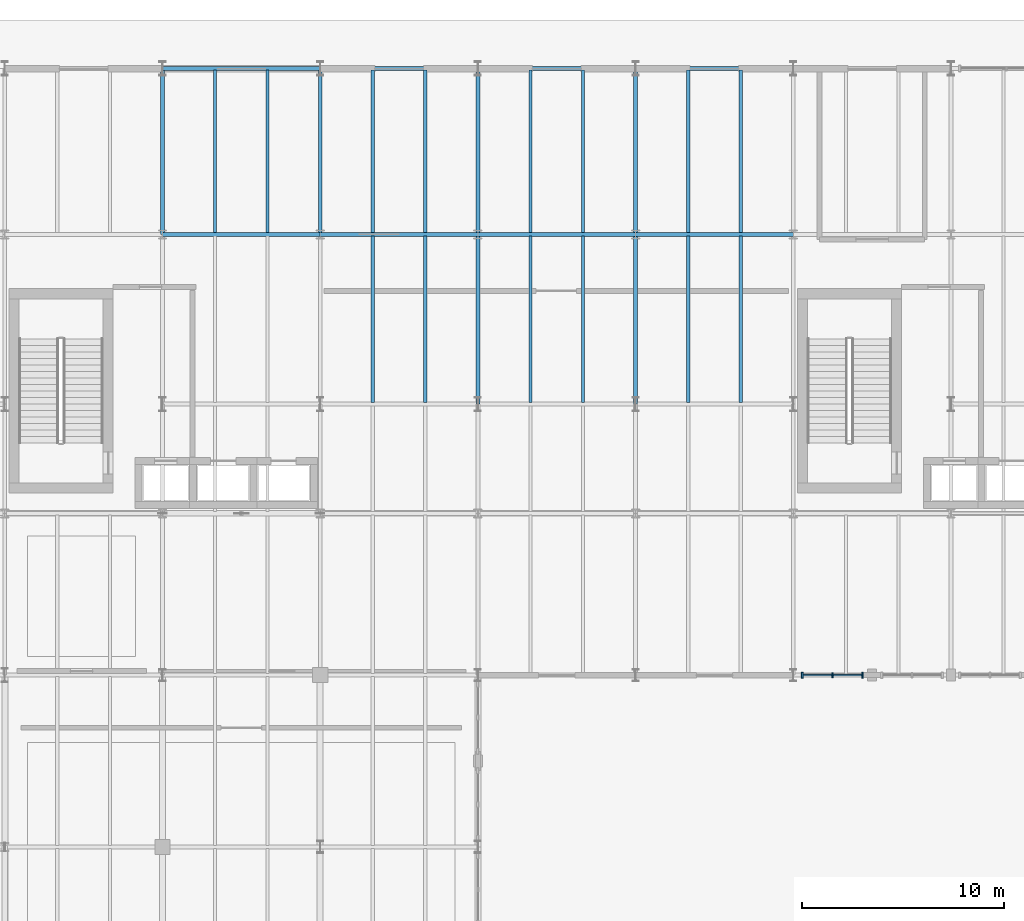
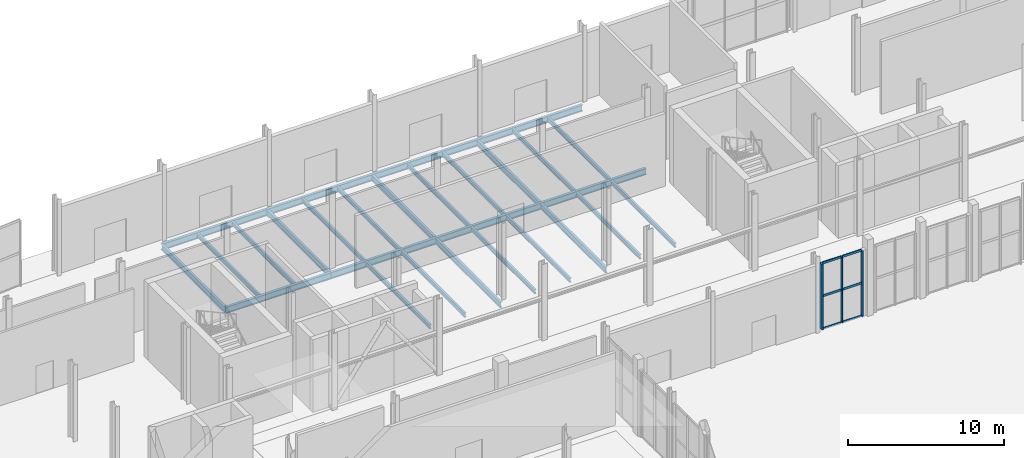
# One storey, part 35 of 84: 28 beams, 9 members, 1 element without a shape of its own.
"""IFC4 building model written with IfcOpenShell, lengths in metres."""

import ifcopenshell
import ifcopenshell.guid

model = None  # the IFC model being written
_history = None  # IfcOwnerHistory: only IFC2X3 demands one
_inside = {}  # id of a spatial element -> (the spatial element, [elements in it])
_under = {}  # id of a project, library or spatial element -> (it, [spatial elements below it])
_declared = {}  # id of a project -> (the project, [libraries it declares])
_typed = {}  # id of a type object -> (the type object, [elements of that type])
_made_of = {}  # id of a material, layer set ... -> (it, [elements and type objects made of it])


def new_model(schema):
    """Start an empty IFC model of exactly this schema.

    Asked for "IFC4X3", IfcOpenShell would pick the latest addendum, in which some entities
    have other attributes; the version numbers below select the first issue.
    IFC2X3 requires an IfcOwnerHistory on every rooted entity: one is made here for all.
    """
    global model, _history
    if schema == "IFC4X3":
        model = ifcopenshell.file(schema_version=(4, 3, 0, 0))
    else:
        model = ifcopenshell.file(schema=schema)
    _inside.clear()
    _under.clear()
    _declared.clear()
    _typed.clear()
    _made_of.clear()
    _history = None
    if model.schema == "IFC2X3":
        org = make("IfcOrganization", Name="unknown")
        user = make(
            "IfcPersonAndOrganization",
            ThePerson=make("IfcPerson", FamilyName="unknown"),
            TheOrganization=org,
        )
        app = make(
            "IfcApplication",
            ApplicationDeveloper=org,
            Version="unknown",
            ApplicationFullName="unknown",
            ApplicationIdentifier="unknown",
        )
        _history = make(
            "IfcOwnerHistory",
            OwningUser=user,
            OwningApplication=app,
            ChangeAction="ADDED",
            CreationDate=0,
        )
    return model


def make(cls, **values):
    """One entity of the class cls with the attributes given. An attribute that is None is left unset."""
    return model.create_entity(
        cls, **{name: value for name, value in values.items() if value is not None}
    )


def rooted(cls, **values):
    """An entity with a GlobalId (a new one), such as an element, a storey or a relation."""
    return make(cls, GlobalId=ifcopenshell.guid.new(), OwnerHistory=_history, **values)


def si_unit(unit_type, name, prefix=None):
    """IfcSIUnit, for example si_unit("LENGTHUNIT", "METRE", prefix="MILLI")."""
    return make("IfcSIUnit", UnitType=unit_type, Prefix=prefix, Name=name)


def assignment(units):
    """IfcUnitAssignment: the units of a project."""
    return None if units is None else make("IfcUnitAssignment", Units=units)


def point(xyz):
    """IfcCartesianPoint."""
    return None if xyz is None else make("IfcCartesianPoint", Coordinates=xyz)


def direction(xyz):
    """IfcDirection."""
    return None if xyz is None else make("IfcDirection", DirectionRatios=xyz)


def frame(location, z_axis=None, x_axis=None):
    """IfcAxis2Placement3D, a coordinate frame: its origin and axes. An axis left out is left unset."""
    return make(
        "IfcAxis2Placement3D",
        Location=point(location),
        Axis=direction(z_axis),
        RefDirection=direction(x_axis),
    )


def frame_2d(location, x_axis=None):
    """IfcAxis2Placement2D, a coordinate frame in the plane: its origin and x axis."""
    return make(
        "IfcAxis2Placement2D", Location=point(location), RefDirection=direction(x_axis)
    )


def origin():
    """The frame at (0, 0, 0) with its axes left unset."""
    return frame((0.0, 0.0, 0.0))


def origin_2d():
    """The frame at (0, 0) in the plane with its x axis left unset."""
    return frame_2d((0.0, 0.0))


def place(relative_to, where):
    """IfcLocalPlacement: puts the frame where relative to a parent placement (None: the world)."""
    return make(
        "IfcLocalPlacement", PlacementRelTo=relative_to, RelativePlacement=where
    )


def context(
    kind, dimensions, precision=None, world=None, true_north=None, identifier=None
):
    """IfcGeometricRepresentationContext, for example the 3D "Model" context."""
    return make(
        "IfcGeometricRepresentationContext",
        ContextIdentifier=identifier,
        ContextType=kind,
        CoordinateSpaceDimension=dimensions,
        Precision=precision,
        WorldCoordinateSystem=world,
        TrueNorth=true_north,
    )


def subcontext(parent, identifier, kind, view, scale=None):
    """IfcGeometricRepresentationSubContext, for example "Body" below "Model"."""
    return make(
        "IfcGeometricRepresentationSubContext",
        ContextIdentifier=identifier,
        ContextType=kind,
        ParentContext=parent,
        TargetScale=scale,
        TargetView=view,
    )


def project(units=None, contexts=None):
    """IfcProject with its units and contexts."""
    return rooted(
        "IfcProject",
        Name="project",
        RepresentationContexts=contexts,
        UnitsInContext=assignment(units),
    )


def spatial(cls, under=None, at=None, **own):
    """A site, building, storey or space (cls), placed at a placement, below another one or the project."""
    s = rooted(cls, ObjectPlacement=at, **own)
    if under is not None:
        _under.setdefault(under.id(), (under, []))[1].append(s)
    return s


def profile(cls, at=None, kind="AREA", **sizes):
    """A parametric profile (cls). Its sizes go by their IFC names, for example OverallWidth=200.0."""
    return make(cls, ProfileType=kind, Position=at, **sizes)


def rectangle(**sizes):
    """IfcRectangleProfileDef."""
    return profile("IfcRectangleProfileDef", **sizes)


def i_section(**sizes):
    """IfcIShapeProfileDef."""
    return profile("IfcIShapeProfileDef", **sizes)


def extrude(swept, where, along, depth):
    """IfcExtrudedAreaSolid: the profile swept, set in the frame where, extruded along a direction by depth."""
    return make(
        "IfcExtrudedAreaSolid",
        SweptArea=swept,
        Position=where,
        ExtrudedDirection=direction(along),
        Depth=depth,
    )


def shape(context_of_items, identifier, shape_type, items):
    """IfcShapeRepresentation: the items that make up one representation, for example the "Body"."""
    return make(
        "IfcShapeRepresentation",
        ContextOfItems=context_of_items,
        RepresentationIdentifier=identifier,
        RepresentationType=shape_type,
        Items=items,
    )


def material(Name=None, Category=None):
    """IfcMaterial."""
    return make("IfcMaterial", Name=Name, Category=Category)


def layer(
    of_material, thickness, ventilated=None, Name=None, Category=None, Priority=None
):
    """IfcMaterialLayer: one layer of a wall or slab, of a material (None: an air gap)."""
    return make(
        "IfcMaterialLayer",
        Material=of_material,
        LayerThickness=thickness,
        IsVentilated=ventilated,
        Name=Name,
        Category=Category,
        Priority=Priority,
    )


def layer_set(layers, Name=None):
    """IfcMaterialLayerSet."""
    return make("IfcMaterialLayerSet", MaterialLayers=layers, LayerSetName=Name)


def material_profile(
    of_material, cross_section, Name=None, Category=None, Priority=None
):
    """IfcMaterialProfile: a cross section and its material."""
    return make(
        "IfcMaterialProfile",
        Name=Name,
        Material=of_material,
        Profile=cross_section,
        Priority=Priority,
        Category=Category,
    )


def profile_set(profiles, Name=None, composite=None):
    """IfcMaterialProfileSet."""
    return make(
        "IfcMaterialProfileSet",
        Name=Name,
        MaterialProfiles=profiles,
        CompositeProfile=composite,
    )


def made_of(thing, what):
    """Note that an element or type object is made of a material, layer set ...; save() writes the relation."""
    if what is not None:
        _made_of.setdefault(what.id(), (what, []))[1].append(thing)
    return thing


def type_object(cls, material=None, **own):
    """A type object (cls), such as IfcWallType, which elements share."""
    return made_of(rooted(cls, **own), material)


def element(
    cls,
    number,
    at=None,
    inside=None,
    cuts=None,
    type_object=None,
    material=None,
    context=None,
    identifier="Body",
    shape_type=None,
    held_by="IfcProductDefinitionShape",
    body=None,
    shapes=None,
    **own,
):
    """One element of the class cls, such as IfcWall. Its Tag is "e" and its number.

    at: its placement. inside: the storey or other place that contains it. cuts: it is an
    opening in that element (IfcRelVoidsElement). A single representation is given by context,
    identifier, shape_type and body (its items); several are given by shapes. held_by: the class
    of the entity that holds the representations. save() writes the other relations.
    """
    e = rooted(cls, Tag="e%d" % number, ObjectPlacement=at, **own)
    if body is not None:
        shapes = [shape(context, identifier, shape_type, body)]
    if shapes is not None:
        e.Representation = make(held_by, Representations=shapes)
    if inside is not None:
        _inside.setdefault(inside.id(), (inside, []))[1].append(e)
    if cuts is not None:
        rooted(
            "IfcRelVoidsElement", RelatingBuildingElement=cuts, RelatedOpeningElement=e
        )
    if type_object is not None:
        _typed.setdefault(type_object.id(), (type_object, []))[1].append(e)
    return made_of(e, material)


def aggregate(whole, parts):
    """IfcRelAggregates: a whole, such as a stair, and the parts it consists of."""
    return rooted("IfcRelAggregates", RelatingObject=whole, RelatedObjects=parts)


def save(model, path):
    """Write the relations noted so far, then the file.

    IfcRelAggregates (storeys below a building ...), IfcRelContainedInSpatialStructure (elements
    in a storey), IfcRelDefinesByType, IfcRelAssociatesMaterial and IfcRelDeclares: one each for
    every whole, place, type object, material and project.
    """
    for whole, parts in _under.values():
        aggregate(whole, parts)
    for where, things in _inside.values():
        rooted(
            "IfcRelContainedInSpatialStructure",
            RelatedElements=things,
            RelatingStructure=where,
        )
    for kind, things in _typed.values():
        rooted("IfcRelDefinesByType", RelatedObjects=things, RelatingType=kind)
    for what, things in _made_of.values():
        rooted("IfcRelAssociatesMaterial", RelatedObjects=things, RelatingMaterial=what)
    for by, libraries in _declared.values():
        rooted("IfcRelDeclares", RelatingContext=by, RelatedDefinitions=libraries)
    model.write(path)


model = new_model("IFC4")

# Units and contexts
model_context = context("Model", 3, precision=1e-05, world=origin(), true_north=direction((0.0, 1.0)))
body_context = subcontext(model_context, "Body", "Model", "MODEL_VIEW")
ifc_project = project(units=[si_unit("LENGTHUNIT", "METRE"), si_unit("AREAUNIT", "SQUARE_METRE"), si_unit("VOLUMEUNIT", "CUBIC_METRE"), si_unit("PLANEANGLEUNIT", "RADIAN"), si_unit("MASSUNIT", "GRAM", prefix="KILO")], contexts=[model_context])

# Site, building, storey
site_placement = place(None, origin())
site = spatial("IfcSite", under=ifc_project, at=site_placement, CompositionType="ELEMENT")
building_placement = place(site_placement, origin())
building = spatial("IfcBuilding", under=site, at=building_placement, Name="Sefraquen Railside Congress Hotel", CompositionType="ELEMENT")
storey_placement = place(building_placement, origin())
storey = spatial("IfcBuildingStorey", under=building, at=storey_placement, Name="L00", CompositionType="ELEMENT", Elevation=0.0)

# Beams
ifc_material_1 = material(Name="Steel S355JR", Category="steel")
ifc_material_profile_1 = material_profile(ifc_material_1, i_section(OverallWidth=0.18994140625, OverallDepth=0.449951171875, WebThickness=0.009521484375, FlangeThickness=0.0146484375, FilletRadius=0.02099609375, at=origin_2d()), Name="IPE 450")
ifc_profile_set_1 = profile_set([ifc_material_profile_1], Name="Steel S355JR")
beam_type_1 = type_object("IfcBeamType", Name="TB-BM-450", PredefinedType="BEAM", material=ifc_profile_set_1)
for number, where, z_axis, x_axis, name in (
    (1, (33.0, 109.800048828125, -0.625), (0.0, 1.0, 0.0), (-1.0, 0.0, 0.0), "Floor beam BM-L00-0213"),
    (2, (40.800048828125, 109.800048828125, -0.625), (0.0, 1.0, 0.0), (-1.0, 0.0, 0.0), "Floor beam BM-L00-0226"),
):
    element("IfcBeam", number, at=place(storey_placement, frame(where, z_axis=z_axis, x_axis=x_axis)), inside=storey, type_object=beam_type_1, Name=name, PredefinedType="BEAM", context=body_context, shape_type="SweptSolid", body=[
        extrude(i_section(OverallWidth=0.18994140625, OverallDepth=0.449951171875, WebThickness=0.009521484375, FlangeThickness=0.0146484375, FilletRadius=0.02099609375, at=origin_2d()), origin(), (0.0, 0.0, 1.0), 8.199951171875),
    ])
beam_1_placement = place(storey_placement, frame((48.60009765625, 101.39990234375, -0.625), z_axis=(0.0, 1.0, 0.0), x_axis=(-1.0, 0.0, 0.0)))
element("IfcBeam", 3, at=beam_1_placement, inside=storey, type_object=beam_type_1, Name="Floor beam BM-L00-0234", PredefinedType="BEAM", context=body_context, shape_type="SweptSolid", body=[
    extrude(i_section(OverallWidth=0.18994140625, OverallDepth=0.449951171875, WebThickness=0.009521484375, FlangeThickness=0.0146484375, FilletRadius=0.02099609375, at=origin_2d()), origin(), (0.0, 0.0, 1.0), 8.400146484375),
])
beam_2_placement = place(storey_placement, frame((48.60009765625, 109.800048828125, -0.625), z_axis=(0.0, 1.0, 0.0), x_axis=(-1.0, 0.0, 0.0)))
element("IfcBeam", 4, at=beam_2_placement, inside=storey, type_object=beam_type_1, Name="Floor beam BM-L00-0235", PredefinedType="BEAM", context=body_context, shape_type="SweptSolid", body=[
    extrude(i_section(OverallWidth=0.18994140625, OverallDepth=0.449951171875, WebThickness=0.009521484375, FlangeThickness=0.0146484375, FilletRadius=0.02099609375, at=origin_2d()), origin(), (0.0, 0.0, 1.0), 8.199951171875),
])
beam_3_placement = place(storey_placement, frame((56.39990234375, 101.39990234375, -0.625), z_axis=(0.0, 1.0, 0.0), x_axis=(-1.0, 0.0, 0.0)))
element("IfcBeam", 5, at=beam_3_placement, inside=storey, type_object=beam_type_1, Name="Floor beam BM-L00-0238", PredefinedType="BEAM", context=body_context, shape_type="SweptSolid", body=[
    extrude(i_section(OverallWidth=0.18994140625, OverallDepth=0.449951171875, WebThickness=0.009521484375, FlangeThickness=0.0146484375, FilletRadius=0.02099609375, at=origin_2d()), origin(), (0.0, 0.0, 1.0), 8.400146484375),
])
beam_4_placement = place(storey_placement, frame((56.39990234375, 109.800048828125, -0.625), z_axis=(0.0, 1.0, 0.0), x_axis=(-1.0, 0.0, 0.0)))
element("IfcBeam", 6, at=beam_4_placement, inside=storey, type_object=beam_type_1, Name="Floor beam BM-L00-0239", PredefinedType="BEAM", context=body_context, shape_type="SweptSolid", body=[
    extrude(i_section(OverallWidth=0.18994140625, OverallDepth=0.449951171875, WebThickness=0.009521484375, FlangeThickness=0.0146484375, FilletRadius=0.02099609375, at=origin_2d()), origin(), (0.0, 0.0, 1.0), 8.199951171875),
])
ifc_material_profile_2 = material_profile(ifc_material_1, i_section(OverallWidth=0.199951171875, OverallDepth=0.5, WebThickness=0.01025390625, FlangeThickness=0.01611328125, FilletRadius=0.02099609375, at=origin_2d()), Name="IPE 500")
ifc_profile_set_2 = profile_set([ifc_material_profile_2], Name="Steel S355JR")
beam_type_2 = type_object("IfcBeamType", Name="TB-BM-500", PredefinedType="BEAM", material=ifc_profile_set_2)
for number, where, z_axis, x_axis, name in (
    (7, (33.0, 109.800048828125, -0.64990234375), (1.0, 0.0, 0.0), (0.0, 1.0, 0.0), "Primary girder BM-L00-0150"),
    (8, (40.800048828125, 109.800048828125, -0.64990234375), (1.0, 0.0, 0.0), (0.0, 1.0, 0.0), "Primary girder BM-L00-0151"),
):
    element("IfcBeam", number, at=place(storey_placement, frame(where, z_axis=z_axis, x_axis=x_axis)), inside=storey, type_object=beam_type_2, Name=name, PredefinedType="BEAM", context=body_context, shape_type="SweptSolid", body=[
        extrude(i_section(OverallWidth=0.199951171875, OverallDepth=0.5, WebThickness=0.01025390625, FlangeThickness=0.01611328125, FilletRadius=0.02099609375, at=origin_2d()), origin(), (0.0, 0.0, 1.0), 7.800048828125),
    ])
beam_5_placement = place(storey_placement, frame((48.60009765625, 109.800048828125, -0.64990234375), z_axis=(1.0, 0.0, 0.0), x_axis=(0.0, 1.0, 0.0)))
element("IfcBeam", 9, at=beam_5_placement, inside=storey, type_object=beam_type_2, Name="Primary girder BM-L00-0152", PredefinedType="BEAM", context=body_context, shape_type="SweptSolid", body=[
    extrude(i_section(OverallWidth=0.199951171875, OverallDepth=0.5, WebThickness=0.01025390625, FlangeThickness=0.01611328125, FilletRadius=0.02099609375, at=origin_2d()), origin(), (0.0, 0.0, 1.0), 7.7998046875),
])
for number, where, z_axis, x_axis, name in (
    (10, (56.39990234375, 109.800048828125, -0.64990234375), (1.0, 0.0, 0.0), (0.0, 1.0, 0.0), "Primary girder BM-L00-0153"),
    (11, (33.0, 118.0, -0.64990234375), (1.0, 0.0, 0.0), (0.0, 1.0, 0.0), "Primary girder BM-L00-0162"),
    (12, (40.800048828125, 118.0, -0.64990234375), (1.0, 0.0, 0.0), (0.0, 1.0, 0.0), "Primary girder BM-L00-0163"),
):
    element("IfcBeam", number, at=place(storey_placement, frame(where, z_axis=z_axis, x_axis=x_axis)), inside=storey, type_object=beam_type_2, Name=name, PredefinedType="BEAM", context=body_context, shape_type="SweptSolid", body=[
        extrude(i_section(OverallWidth=0.199951171875, OverallDepth=0.5, WebThickness=0.01025390625, FlangeThickness=0.01611328125, FilletRadius=0.02099609375, at=origin_2d()), origin(), (0.0, 0.0, 1.0), 7.800048828125),
    ])
beam_6_placement = place(storey_placement, frame((48.60009765625, 118.0, -0.64990234375), z_axis=(1.0, 0.0, 0.0), x_axis=(0.0, 1.0, 0.0)))
element("IfcBeam", 13, at=beam_6_placement, inside=storey, type_object=beam_type_2, Name="Primary girder BM-L00-0164", PredefinedType="BEAM", context=body_context, shape_type="SweptSolid", body=[
    extrude(i_section(OverallWidth=0.199951171875, OverallDepth=0.5, WebThickness=0.01025390625, FlangeThickness=0.01611328125, FilletRadius=0.02099609375, at=origin_2d()), origin(), (0.0, 0.0, 1.0), 7.7998046875),
])
beam_7_placement = place(storey_placement, frame((56.39990234375, 118.0, -0.64990234375), z_axis=(1.0, 0.0, 0.0), x_axis=(0.0, 1.0, 0.0)))
element("IfcBeam", 14, at=beam_7_placement, inside=storey, type_object=beam_type_2, Name="Primary girder BM-L00-0165", PredefinedType="BEAM", context=body_context, shape_type="SweptSolid", body=[
    extrude(i_section(OverallWidth=0.199951171875, OverallDepth=0.5, WebThickness=0.01025390625, FlangeThickness=0.01611328125, FilletRadius=0.02099609375, at=origin_2d()), origin(), (0.0, 0.0, 1.0), 7.800048828125),
])
ifc_material_profile_3 = material_profile(ifc_material_1, i_section(OverallWidth=0.159912109375, OverallDepth=0.330078125, WebThickness=0.007568359375, FlangeThickness=0.011474609375, FilletRadius=0.01806640625, at=origin_2d()), Name="IPE 330")
ifc_profile_set_3 = profile_set([ifc_material_profile_3], Name="Steel S355JR")
beam_type_3 = type_object("IfcBeamType", Name="TB-JST-330", PredefinedType="JOIST", material=ifc_profile_set_3)
for number, where, z_axis, x_axis, name in (
    (15, (35.60009765625, 109.8798828125, -0.56494140625), (0.0, 1.0, 0.0), (-1.0, 0.0, 0.0), "Composite floor joist BM-L00-J0068"),
    (16, (38.199951171875, 109.8798828125, -0.56494140625), (0.0, 1.0, 0.0), (-1.0, 0.0, 0.0), "Composite floor joist BM-L00-J0069"),
):
    element("IfcBeam", number, at=place(storey_placement, frame(where, z_axis=z_axis, x_axis=x_axis)), inside=storey, type_object=beam_type_3, Name=name, PredefinedType="JOIST", context=body_context, shape_type="SweptSolid", body=[
        extrude(i_section(OverallWidth=0.159912109375, OverallDepth=0.330078125, WebThickness=0.007568359375, FlangeThickness=0.011474609375, FilletRadius=0.01806640625, at=origin_2d()), origin(), (0.0, 0.0, 1.0), 8.0400390625),
    ])
for number, where, z_axis, x_axis, name in (
    (17, (43.39990234375, 101.47998046875, -0.56494140625), (0.0, 1.0, 0.0), (-1.0, 0.0, 0.0), "Composite floor joist BM-L00-J0084"),
    (18, (46.0, 101.47998046875, -0.56494140625), (0.0, 1.0, 0.0), (-1.0, 0.0, 0.0), "Composite floor joist BM-L00-J0085"),
):
    element("IfcBeam", number, at=place(storey_placement, frame(where, z_axis=z_axis, x_axis=x_axis)), inside=storey, type_object=beam_type_3, Name=name, PredefinedType="JOIST", context=body_context, shape_type="SweptSolid", body=[
        extrude(i_section(OverallWidth=0.159912109375, OverallDepth=0.330078125, WebThickness=0.007568359375, FlangeThickness=0.011474609375, FilletRadius=0.01806640625, at=origin_2d()), origin(), (0.0, 0.0, 1.0), 8.239990234375),
    ])
for number, where, z_axis, x_axis, name in (
    (19, (43.39990234375, 109.8798828125, -0.56494140625), (0.0, 1.0, 0.0), (-1.0, 0.0, 0.0), "Composite floor joist BM-L00-J0086"),
    (20, (46.0, 109.8798828125, -0.56494140625), (0.0, 1.0, 0.0), (-1.0, 0.0, 0.0), "Composite floor joist BM-L00-J0087"),
):
    element("IfcBeam", number, at=place(storey_placement, frame(where, z_axis=z_axis, x_axis=x_axis)), inside=storey, type_object=beam_type_3, Name=name, PredefinedType="JOIST", context=body_context, shape_type="SweptSolid", body=[
        extrude(i_section(OverallWidth=0.159912109375, OverallDepth=0.330078125, WebThickness=0.007568359375, FlangeThickness=0.011474609375, FilletRadius=0.01806640625, at=origin_2d()), origin(), (0.0, 0.0, 1.0), 8.0400390625),
    ])
for number, where, z_axis, x_axis, name in (
    (21, (51.199951171875, 101.47998046875, -0.56494140625), (0.0, 1.0, 0.0), (-1.0, 0.0, 0.0), "Composite floor joist BM-L00-J0092"),
    (22, (53.800048828125, 101.47998046875, -0.56494140625), (0.0, 1.0, 0.0), (-1.0, 0.0, 0.0), "Composite floor joist BM-L00-J0093"),
):
    element("IfcBeam", number, at=place(storey_placement, frame(where, z_axis=z_axis, x_axis=x_axis)), inside=storey, type_object=beam_type_3, Name=name, PredefinedType="JOIST", context=body_context, shape_type="SweptSolid", body=[
        extrude(i_section(OverallWidth=0.159912109375, OverallDepth=0.330078125, WebThickness=0.007568359375, FlangeThickness=0.011474609375, FilletRadius=0.01806640625, at=origin_2d()), origin(), (0.0, 0.0, 1.0), 8.239990234375),
    ])
for number, where, z_axis, x_axis, name in (
    (23, (51.199951171875, 109.8798828125, -0.56494140625), (0.0, 1.0, 0.0), (-1.0, 0.0, 0.0), "Composite floor joist BM-L00-J0094"),
    (24, (53.800048828125, 109.8798828125, -0.56494140625), (0.0, 1.0, 0.0), (-1.0, 0.0, 0.0), "Composite floor joist BM-L00-J0095"),
):
    element("IfcBeam", number, at=place(storey_placement, frame(where, z_axis=z_axis, x_axis=x_axis)), inside=storey, type_object=beam_type_3, Name=name, PredefinedType="JOIST", context=body_context, shape_type="SweptSolid", body=[
        extrude(i_section(OverallWidth=0.159912109375, OverallDepth=0.330078125, WebThickness=0.007568359375, FlangeThickness=0.011474609375, FilletRadius=0.01806640625, at=origin_2d()), origin(), (0.0, 0.0, 1.0), 8.0400390625),
    ])
for number, where, z_axis, x_axis, name in (
    (25, (59.0, 101.47998046875, -0.56494140625), (0.0, 1.0, 0.0), (-1.0, 0.0, 0.0), "Composite floor joist BM-L00-J0100"),
    (26, (61.60009765625, 101.47998046875, -0.56494140625), (0.0, 1.0, 0.0), (-1.0, 0.0, 0.0), "Composite floor joist BM-L00-J0101"),
):
    element("IfcBeam", number, at=place(storey_placement, frame(where, z_axis=z_axis, x_axis=x_axis)), inside=storey, type_object=beam_type_3, Name=name, PredefinedType="JOIST", context=body_context, shape_type="SweptSolid", body=[
        extrude(i_section(OverallWidth=0.159912109375, OverallDepth=0.330078125, WebThickness=0.007568359375, FlangeThickness=0.011474609375, FilletRadius=0.01806640625, at=origin_2d()), origin(), (0.0, 0.0, 1.0), 8.239990234375),
    ])
for number, where, z_axis, x_axis, name in (
    (27, (59.0, 109.8798828125, -0.56494140625), (0.0, 1.0, 0.0), (-1.0, 0.0, 0.0), "Composite floor joist BM-L00-J0102"),
    (28, (61.60009765625, 109.8798828125, -0.56494140625), (0.0, 1.0, 0.0), (-1.0, 0.0, 0.0), "Composite floor joist BM-L00-J0103"),
):
    element("IfcBeam", number, at=place(storey_placement, frame(where, z_axis=z_axis, x_axis=x_axis)), inside=storey, type_object=beam_type_3, Name=name, PredefinedType="JOIST", context=body_context, shape_type="SweptSolid", body=[
        extrude(i_section(OverallWidth=0.159912109375, OverallDepth=0.330078125, WebThickness=0.007568359375, FlangeThickness=0.011474609375, FilletRadius=0.01806640625, at=origin_2d()), origin(), (0.0, 0.0, 1.0), 8.0400390625),
    ])

# Curtain wall, members
ifc_material_2 = material(Name="Thermally broken anodised aluminium and low-E double glazing", Category="aluminium")
ifc_layer = layer(ifc_material_2, 0.199951171875)
ifc_layer_set = layer_set([ifc_layer], Name="Thermally broken anodised aluminium and low-E double glazing")
curtain_wall_type = type_object("IfcCurtainWallType", Name="TCW-UCW-12", PredefinedType="USERDEFINED", material=ifc_layer_set)
curtain_wall_placement = place(storey_placement, origin())
curtain_wall = element("IfcCurtainWall", 29, at=curtain_wall_placement, inside=storey, type_object=curtain_wall_type, Name="Courtyard north arcade curtain wall UCW-12", ObjectType="UNITISED CURTAIN WALL", PredefinedType="USERDEFINED")
ifc_material_3 = material(Name="Thermally broken anodised aluminium 6063-T6", Category="aluminium")
ifc_material_profile_4 = material_profile(ifc_material_3, rectangle(XDim=0.080078125, YDim=0.239990234375, at=origin_2d()), Name="CWM 80x240")
ifc_profile_set_4 = profile_set([ifc_material_profile_4], Name="Thermally broken anodised aluminium 6063-T6")
member_type_1 = type_object("IfcMemberType", Name="TM-CWM-05", PredefinedType="MULLION", material=ifc_profile_set_4)
member_1_placement = place(storey_placement, frame((66.1298828125, 88.0, 0.0), z_axis=(0.0, 0.0, 1.0), x_axis=(1.0, 0.0, 0.0)))
member_1 = element("IfcMember", 30, at=member_1_placement, type_object=member_type_1, Name="CW-L00-012 mullion 2", PredefinedType="MULLION", context=body_context, shape_type="SweptSolid", body=[
    extrude(rectangle(XDim=0.080078125, YDim=0.239990234375, at=origin_2d()), origin(), (0.0, 0.0, 1.0), 5.14990234375),
])
ifc_material_profile_5 = material_profile(ifc_material_3, rectangle(XDim=0.094970703125, YDim=0.300048828125, at=origin_2d()), Name="CWM 95x300")
ifc_profile_set_5 = profile_set([ifc_material_profile_5], Name="Thermally broken anodised aluminium 6063-T6")
member_type_2 = type_object("IfcMemberType", Name="TM-CWM-08", PredefinedType="MULLION", material=ifc_profile_set_5)
member_2_placement = place(storey_placement, frame((64.639892578125, 88.0, 0.0), z_axis=(0.0, 0.0, 1.0), x_axis=(1.0, 0.0, 0.0)))
member_2 = element("IfcMember", 31, at=member_2_placement, type_object=member_type_2, Name="CW-L00-012 mullion 1", PredefinedType="MULLION", context=body_context, shape_type="SweptSolid", body=[
    extrude(rectangle(XDim=0.094970703125, YDim=0.300048828125, at=origin_2d()), origin(), (0.0, 0.0, 1.0), 5.14990234375),
])
member_3_placement = place(storey_placement, frame((67.6201171875, 88.0, 0.0), z_axis=(0.0, 0.0, 1.0), x_axis=(1.0, 0.0, 0.0)))
member_3 = element("IfcMember", 32, at=member_3_placement, type_object=member_type_2, Name="CW-L00-012 mullion 3", PredefinedType="MULLION", context=body_context, shape_type="SweptSolid", body=[
    extrude(rectangle(XDim=0.094970703125, YDim=0.300048828125, at=origin_2d()), origin(), (0.0, 0.0, 1.0), 5.14990234375),
])
ifc_material_profile_6 = material_profile(ifc_material_3, rectangle(XDim=0.074951171875, YDim=0.1650390625, at=origin_2d()), Name="CWT 75x165")
ifc_profile_set_6 = profile_set([ifc_material_profile_6], Name="Thermally broken anodised aluminium 6063-T6")
member_type_3 = type_object("IfcMemberType", Name="TM-CWT-04", PredefinedType="USERDEFINED", material=ifc_profile_set_6)
member_4_placement = place(storey_placement, frame((64.68505859375, 88.0, 0.0), z_axis=(1.0, 0.0, 0.0), x_axis=(0.0, 1.0, 0.0)))
member_4 = element("IfcMember", 33, at=member_4_placement, type_object=member_type_3, Name="CW-L00-012 transom 1.1", ObjectType="TRANSOM", PredefinedType="USERDEFINED", context=body_context, shape_type="SweptSolid", body=[
    extrude(rectangle(XDim=0.074951171875, YDim=0.1650390625, at=origin_2d()), origin(), (0.0, 0.0, 1.0), 1.39990234375),
])
member_5_placement = place(storey_placement, frame((66.175048828125, 88.0, 0.0), z_axis=(1.0, 0.0, 0.0), x_axis=(0.0, 1.0, 0.0)))
member_5 = element("IfcMember", 34, at=member_5_placement, type_object=member_type_3, Name="CW-L00-012 transom 1.2", ObjectType="TRANSOM", PredefinedType="USERDEFINED", context=body_context, shape_type="SweptSolid", body=[
    extrude(rectangle(XDim=0.074951171875, YDim=0.1650390625, at=origin_2d()), origin(), (0.0, 0.0, 1.0), 1.39990234375),
])
member_6_placement = place(storey_placement, frame((64.68505859375, 88.0, 2.574951171875), z_axis=(1.0, 0.0, 0.0), x_axis=(0.0, 1.0, 0.0)))
member_6 = element("IfcMember", 35, at=member_6_placement, type_object=member_type_3, Name="CW-L00-012 transom 2.1", ObjectType="TRANSOM", PredefinedType="USERDEFINED", context=body_context, shape_type="SweptSolid", body=[
    extrude(rectangle(XDim=0.074951171875, YDim=0.1650390625, at=origin_2d()), origin(), (0.0, 0.0, 1.0), 1.39990234375),
])
member_7_placement = place(storey_placement, frame((66.175048828125, 88.0, 2.574951171875), z_axis=(1.0, 0.0, 0.0), x_axis=(0.0, 1.0, 0.0)))
member_7 = element("IfcMember", 36, at=member_7_placement, type_object=member_type_3, Name="CW-L00-012 transom 2.2", ObjectType="TRANSOM", PredefinedType="USERDEFINED", context=body_context, shape_type="SweptSolid", body=[
    extrude(rectangle(XDim=0.074951171875, YDim=0.1650390625, at=origin_2d()), origin(), (0.0, 0.0, 1.0), 1.39990234375),
])
member_8_placement = place(storey_placement, frame((64.68505859375, 88.0, 5.14990234375), z_axis=(1.0, 0.0, 0.0), x_axis=(0.0, 1.0, 0.0)))
member_8 = element("IfcMember", 37, at=member_8_placement, type_object=member_type_3, Name="CW-L00-012 transom 3.1", ObjectType="TRANSOM", PredefinedType="USERDEFINED", context=body_context, shape_type="SweptSolid", body=[
    extrude(rectangle(XDim=0.074951171875, YDim=0.1650390625, at=origin_2d()), origin(), (0.0, 0.0, 1.0), 1.39990234375),
])
member_9_placement = place(storey_placement, frame((66.175048828125, 88.0, 5.14990234375), z_axis=(1.0, 0.0, 0.0), x_axis=(0.0, 1.0, 0.0)))
member_9 = element("IfcMember", 38, at=member_9_placement, type_object=member_type_3, Name="CW-L00-012 transom 3.2", ObjectType="TRANSOM", PredefinedType="USERDEFINED", context=body_context, shape_type="SweptSolid", body=[
    extrude(rectangle(XDim=0.074951171875, YDim=0.1650390625, at=origin_2d()), origin(), (0.0, 0.0, 1.0), 1.39990234375),
])
aggregate(curtain_wall, [member_2, member_1, member_3, member_4, member_5, member_6, member_7, member_8, member_9])

save(model, "model.ifc")
